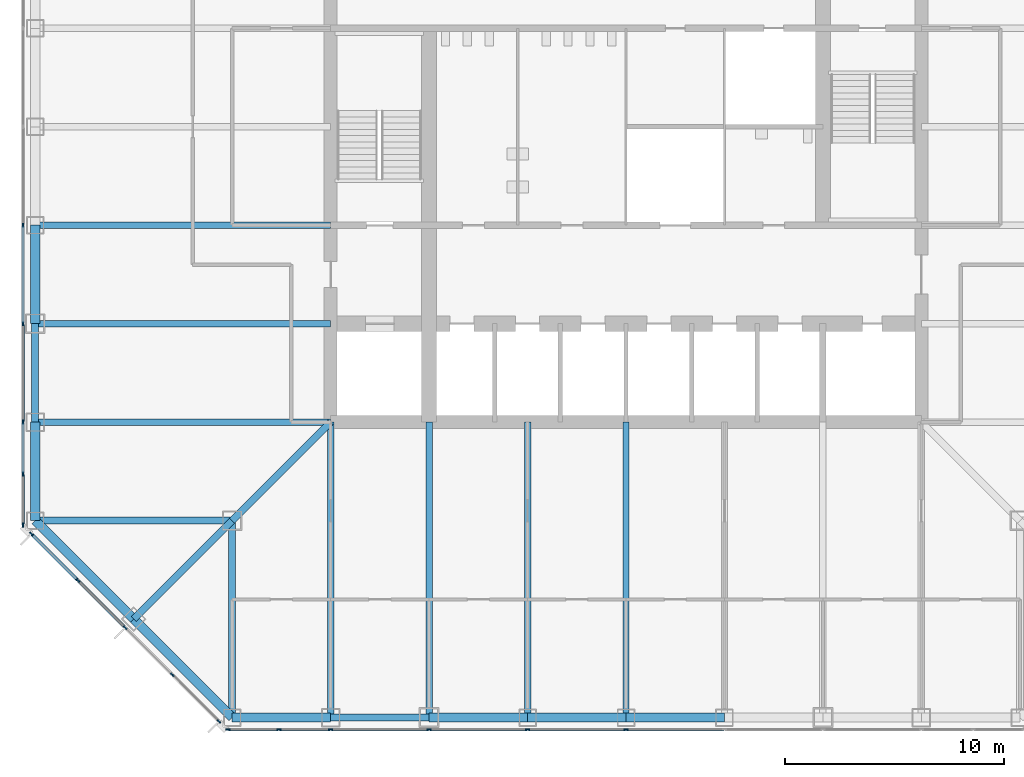
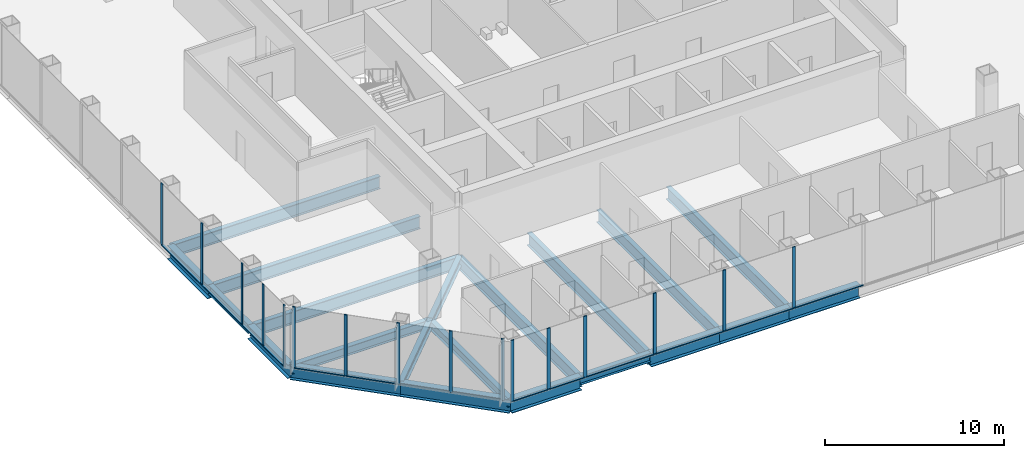
# One storey, part 2 of 13: 28 members, 21 beams, 3 elements without a shape of their own.
"""IFC4 building model written with IfcOpenShell, lengths in metres."""

import ifcopenshell
import ifcopenshell.guid

model = None  # the IFC model being written
_history = None  # IfcOwnerHistory: only IFC2X3 demands one
_inside = {}  # id of a spatial element -> (the spatial element, [elements in it])
_under = {}  # id of a project, library or spatial element -> (it, [spatial elements below it])
_declared = {}  # id of a project -> (the project, [libraries it declares])
_typed = {}  # id of a type object -> (the type object, [elements of that type])
_made_of = {}  # id of a material, layer set ... -> (it, [elements and type objects made of it])


def new_model(schema):
    """Start an empty IFC model of exactly this schema.

    Asked for "IFC4X3", IfcOpenShell would pick the latest addendum, in which some entities
    have other attributes; the version numbers below select the first issue.
    IFC2X3 requires an IfcOwnerHistory on every rooted entity: one is made here for all.
    """
    global model, _history
    if schema == "IFC4X3":
        model = ifcopenshell.file(schema_version=(4, 3, 0, 0))
    else:
        model = ifcopenshell.file(schema=schema)
    _inside.clear()
    _under.clear()
    _declared.clear()
    _typed.clear()
    _made_of.clear()
    _history = None
    if model.schema == "IFC2X3":
        org = make("IfcOrganization", Name="unknown")
        user = make(
            "IfcPersonAndOrganization",
            ThePerson=make("IfcPerson", FamilyName="unknown"),
            TheOrganization=org,
        )
        app = make(
            "IfcApplication",
            ApplicationDeveloper=org,
            Version="unknown",
            ApplicationFullName="unknown",
            ApplicationIdentifier="unknown",
        )
        _history = make(
            "IfcOwnerHistory",
            OwningUser=user,
            OwningApplication=app,
            ChangeAction="ADDED",
            CreationDate=0,
        )
    return model


def make(cls, **values):
    """One entity of the class cls with the attributes given. An attribute that is None is left unset."""
    return model.create_entity(
        cls, **{name: value for name, value in values.items() if value is not None}
    )


def rooted(cls, **values):
    """An entity with a GlobalId (a new one), such as an element, a storey or a relation."""
    return make(cls, GlobalId=ifcopenshell.guid.new(), OwnerHistory=_history, **values)


def si_unit(unit_type, name, prefix=None):
    """IfcSIUnit, for example si_unit("LENGTHUNIT", "METRE", prefix="MILLI")."""
    return make("IfcSIUnit", UnitType=unit_type, Prefix=prefix, Name=name)


def assignment(units):
    """IfcUnitAssignment: the units of a project."""
    return None if units is None else make("IfcUnitAssignment", Units=units)


def point(xyz):
    """IfcCartesianPoint."""
    return None if xyz is None else make("IfcCartesianPoint", Coordinates=xyz)


def direction(xyz):
    """IfcDirection."""
    return None if xyz is None else make("IfcDirection", DirectionRatios=xyz)


def frame(location, z_axis=None, x_axis=None):
    """IfcAxis2Placement3D, a coordinate frame: its origin and axes. An axis left out is left unset."""
    return make(
        "IfcAxis2Placement3D",
        Location=point(location),
        Axis=direction(z_axis),
        RefDirection=direction(x_axis),
    )


def frame_2d(location, x_axis=None):
    """IfcAxis2Placement2D, a coordinate frame in the plane: its origin and x axis."""
    return make(
        "IfcAxis2Placement2D", Location=point(location), RefDirection=direction(x_axis)
    )


def origin():
    """The frame at (0, 0, 0) with its axes left unset."""
    return frame((0.0, 0.0, 0.0))


def origin_2d():
    """The frame at (0, 0) in the plane with its x axis left unset."""
    return frame_2d((0.0, 0.0))


def place(relative_to, where):
    """IfcLocalPlacement: puts the frame where relative to a parent placement (None: the world)."""
    return make(
        "IfcLocalPlacement", PlacementRelTo=relative_to, RelativePlacement=where
    )


def context(
    kind, dimensions, precision=None, world=None, true_north=None, identifier=None
):
    """IfcGeometricRepresentationContext, for example the 3D "Model" context."""
    return make(
        "IfcGeometricRepresentationContext",
        ContextIdentifier=identifier,
        ContextType=kind,
        CoordinateSpaceDimension=dimensions,
        Precision=precision,
        WorldCoordinateSystem=world,
        TrueNorth=true_north,
    )


def subcontext(parent, identifier, kind, view, scale=None):
    """IfcGeometricRepresentationSubContext, for example "Body" below "Model"."""
    return make(
        "IfcGeometricRepresentationSubContext",
        ContextIdentifier=identifier,
        ContextType=kind,
        ParentContext=parent,
        TargetScale=scale,
        TargetView=view,
    )


def project(units=None, contexts=None):
    """IfcProject with its units and contexts."""
    return rooted(
        "IfcProject",
        Name="project",
        RepresentationContexts=contexts,
        UnitsInContext=assignment(units),
    )


def spatial(cls, under=None, at=None, **own):
    """A site, building, storey or space (cls), placed at a placement, below another one or the project."""
    s = rooted(cls, ObjectPlacement=at, **own)
    if under is not None:
        _under.setdefault(under.id(), (under, []))[1].append(s)
    return s


def profile(cls, at=None, kind="AREA", **sizes):
    """A parametric profile (cls). Its sizes go by their IFC names, for example OverallWidth=200.0."""
    return make(cls, ProfileType=kind, Position=at, **sizes)


def rectangle(**sizes):
    """IfcRectangleProfileDef."""
    return profile("IfcRectangleProfileDef", **sizes)


def i_section(**sizes):
    """IfcIShapeProfileDef."""
    return profile("IfcIShapeProfileDef", **sizes)


def extrude(swept, where, along, depth):
    """IfcExtrudedAreaSolid: the profile swept, set in the frame where, extruded along a direction by depth."""
    return make(
        "IfcExtrudedAreaSolid",
        SweptArea=swept,
        Position=where,
        ExtrudedDirection=direction(along),
        Depth=depth,
    )


def shape(context_of_items, identifier, shape_type, items):
    """IfcShapeRepresentation: the items that make up one representation, for example the "Body"."""
    return make(
        "IfcShapeRepresentation",
        ContextOfItems=context_of_items,
        RepresentationIdentifier=identifier,
        RepresentationType=shape_type,
        Items=items,
    )


def material(Name=None, Category=None):
    """IfcMaterial."""
    return make("IfcMaterial", Name=Name, Category=Category)


def material_profile(
    of_material, cross_section, Name=None, Category=None, Priority=None
):
    """IfcMaterialProfile: a cross section and its material."""
    return make(
        "IfcMaterialProfile",
        Name=Name,
        Material=of_material,
        Profile=cross_section,
        Priority=Priority,
        Category=Category,
    )


def profile_set(profiles, Name=None, composite=None):
    """IfcMaterialProfileSet."""
    return make(
        "IfcMaterialProfileSet",
        Name=Name,
        MaterialProfiles=profiles,
        CompositeProfile=composite,
    )


def made_of(thing, what):
    """Note that an element or type object is made of a material, layer set ...; save() writes the relation."""
    if what is not None:
        _made_of.setdefault(what.id(), (what, []))[1].append(thing)
    return thing


def type_object(cls, material=None, **own):
    """A type object (cls), such as IfcWallType, which elements share."""
    return made_of(rooted(cls, **own), material)


def element(
    cls,
    number,
    at=None,
    inside=None,
    cuts=None,
    type_object=None,
    material=None,
    context=None,
    identifier="Body",
    shape_type=None,
    held_by="IfcProductDefinitionShape",
    body=None,
    shapes=None,
    **own,
):
    """One element of the class cls, such as IfcWall. Its Tag is "e" and its number.

    at: its placement. inside: the storey or other place that contains it. cuts: it is an
    opening in that element (IfcRelVoidsElement). A single representation is given by context,
    identifier, shape_type and body (its items); several are given by shapes. held_by: the class
    of the entity that holds the representations. save() writes the other relations.
    """
    e = rooted(cls, Tag="e%d" % number, ObjectPlacement=at, **own)
    if body is not None:
        shapes = [shape(context, identifier, shape_type, body)]
    if shapes is not None:
        e.Representation = make(held_by, Representations=shapes)
    if inside is not None:
        _inside.setdefault(inside.id(), (inside, []))[1].append(e)
    if cuts is not None:
        rooted(
            "IfcRelVoidsElement", RelatingBuildingElement=cuts, RelatedOpeningElement=e
        )
    if type_object is not None:
        _typed.setdefault(type_object.id(), (type_object, []))[1].append(e)
    return made_of(e, material)


def aggregate(whole, parts):
    """IfcRelAggregates: a whole, such as a stair, and the parts it consists of."""
    return rooted("IfcRelAggregates", RelatingObject=whole, RelatedObjects=parts)


def save(model, path):
    """Write the relations noted so far, then the file.

    IfcRelAggregates (storeys below a building ...), IfcRelContainedInSpatialStructure (elements
    in a storey), IfcRelDefinesByType, IfcRelAssociatesMaterial and IfcRelDeclares: one each for
    every whole, place, type object, material and project.
    """
    for whole, parts in _under.values():
        aggregate(whole, parts)
    for where, things in _inside.values():
        rooted(
            "IfcRelContainedInSpatialStructure",
            RelatedElements=things,
            RelatingStructure=where,
        )
    for kind, things in _typed.values():
        rooted("IfcRelDefinesByType", RelatedObjects=things, RelatingType=kind)
    for what, things in _made_of.values():
        rooted("IfcRelAssociatesMaterial", RelatedObjects=things, RelatingMaterial=what)
    for by, libraries in _declared.values():
        rooted("IfcRelDeclares", RelatingContext=by, RelatedDefinitions=libraries)
    model.write(path)


model = new_model("IFC4")

# Units and contexts
model_context = context("Model", 3, precision=1e-05, world=origin(), true_north=direction((0.0, 1.0)))
body_context = subcontext(model_context, "Body", "Model", "MODEL_VIEW")
ifc_project = project(units=[si_unit("LENGTHUNIT", "METRE"), si_unit("AREAUNIT", "SQUARE_METRE"), si_unit("VOLUMEUNIT", "CUBIC_METRE"), si_unit("PLANEANGLEUNIT", "RADIAN"), si_unit("MASSUNIT", "GRAM", prefix="KILO")], contexts=[model_context])

# Site, building, storey
site_placement = place(None, origin())
site = spatial("IfcSite", under=ifc_project, at=site_placement, CompositionType="ELEMENT")
building_placement = place(site_placement, origin())
building = spatial("IfcBuilding", under=site, at=building_placement, Name="Corais Broadcast Tower", CompositionType="ELEMENT")
storey_placement = place(building_placement, frame((0.0, 0.0, 83.60009765625)))
storey = spatial("IfcBuildingStorey", under=building, at=storey_placement, Name="L18", CompositionType="ELEMENT", Elevation=83.60009765625)

# Beams
ifc_material_1 = material(Name="Steel ASTM A572 Grade 50", Category="steel")
ifc_material_profile_1 = material_profile(ifc_material_1, i_section(OverallWidth=0.323974609375, OverallDepth=0.611083984375, WebThickness=0.0126953125, FlangeThickness=0.01904296875, at=origin_2d()), Name="W610x155")
ifc_profile_set_1 = profile_set([ifc_material_profile_1], Name="Steel ASTM A572 Grade 50")
beam_type_1 = type_object("IfcBeamType", Name="Chamfer tie W610x155", PredefinedType="BEAM", material=ifc_profile_set_1)
beam_1_placement = place(storey_placement, frame((4.5, 4.5, -0.465576171875), z_axis=(0.707106781187, 0.707106781187, 0.0), x_axis=(-0.707106781187, 0.707106781187, 0.0)))
element("IfcBeam", 1, at=beam_1_placement, inside=storey, type_object=beam_type_1, Name="B5 B/4 to C/5", PredefinedType="BEAM", context=body_context, shape_type="SweptSolid", body=[
    extrude(i_section(OverallWidth=0.323974609375, OverallDepth=0.611083984375, WebThickness=0.0126953125, FlangeThickness=0.01904296875, at=origin_2d()), origin(), (0.0, 0.0, 1.0), 6.364013671875),
])
ifc_material_2 = material(Name="Steel ASTM A572 Grade 50", Category="steel")
ifc_material_profile_2 = material_profile(ifc_material_2, i_section(OverallWidth=0.323974609375, OverallDepth=0.611083984375, WebThickness=0.0126953125, FlangeThickness=0.01904296875, at=origin_2d()), Name="W610x155")
ifc_profile_set_2 = profile_set([ifc_material_profile_2], Name="Steel ASTM A572 Grade 50")
beam_type_2 = type_object("IfcBeamType", Name="Corner diagonal W610x155", PredefinedType="BEAM", material=ifc_profile_set_2)
beam_2_placement = place(storey_placement, frame((9.0, 9.0, -0.465576171875), z_axis=(0.707106781187, 0.707106781187, 0.0), x_axis=(-0.707106781187, 0.707106781187, 0.0)))
element("IfcBeam", 2, at=beam_2_placement, inside=storey, type_object=beam_type_2, Name="B6 C/5 to D/6", PredefinedType="BEAM", context=body_context, shape_type="SweptSolid", body=[
    extrude(i_section(OverallWidth=0.323974609375, OverallDepth=0.611083984375, WebThickness=0.0126953125, FlangeThickness=0.01904296875, at=origin_2d()), origin(), (0.0, 0.0, 1.0), 6.364013671875),
])
ifc_material_3 = material(Name="Steel ASTM A572 Grade 50", Category="steel")
ifc_material_profile_3 = material_profile(ifc_material_3, i_section(OverallWidth=0.323974609375, OverallDepth=0.611083984375, WebThickness=0.0126953125, FlangeThickness=0.01904296875, at=origin_2d()), Name="W610x155")
ifc_profile_set_3 = profile_set([ifc_material_profile_3], Name="Steel ASTM A572 Grade 50")
beam_type_3 = type_object("IfcBeamType", Name="Corner girder W610x155", PredefinedType="BEAM", material=ifc_profile_set_3)
for number, where, z_axis, x_axis, name in (
    (3, (0.0, 9.0, -0.465576171875), (1.0, 0.0, 0.0), (0.0, 1.0, 0.0), "B4 C/3 to C/5"),
    (4, (9.0, 0.0, -0.465576171875), (0.0, 1.0, 0.0), (-1.0, 0.0, 0.0), "B4 A/5 to C/5"),
):
    element("IfcBeam", number, at=place(storey_placement, frame(where, z_axis=z_axis, x_axis=x_axis)), inside=storey, type_object=beam_type_3, Name=name, PredefinedType="BEAM", context=body_context, shape_type="SweptSolid", body=[
        extrude(i_section(OverallWidth=0.323974609375, OverallDepth=0.611083984375, WebThickness=0.0126953125, FlangeThickness=0.01904296875, at=origin_2d()), origin(), (0.0, 0.0, 1.0), 9.0),
    ])
ifc_material_4 = material(Name="Steel ASTM A572 Grade 50", Category="steel")
ifc_material_profile_4 = material_profile(ifc_material_4, i_section(OverallWidth=0.2939453125, OverallDepth=0.85107421875, WebThickness=0.01611328125, FlangeThickness=0.02685546875, at=origin_2d()), Name="W840x226")
ifc_profile_set_4 = profile_set([ifc_material_profile_4], Name="Steel ASTM A572 Grade 50")
beam_type_4 = type_object("IfcBeamType", Name="Floor beam W840x226", PredefinedType="BEAM", material=ifc_profile_set_4)
for number, where, z_axis, x_axis, name in (
    (5, (0.0, 13.5, -0.585693359375), (1.0, 0.0, 0.0), (0.0, 1.0, 0.0), "B1 D/3 to D/6"),
    (6, (0.0, 18.0, -0.585693359375), (1.0, 0.0, 0.0), (0.0, 1.0, 0.0), "B1 E/3 to E/6"),
    (7, (0.0, 22.5, -0.585693359375), (1.0, 0.0, 0.0), (0.0, 1.0, 0.0), "B1 F/3 to F/6"),
    (8, (13.5, 0.0, -0.585693359375), (0.0, 1.0, 0.0), (-1.0, 0.0, 0.0), "B1 A/6 to D/6"),
    (9, (18.0, 0.0, -0.585693359375), (0.0, 1.0, 0.0), (-1.0, 0.0, 0.0), "B1 A/7 to D/7"),
    (10, (22.5, 0.0, -0.585693359375), (0.0, 1.0, 0.0), (-1.0, 0.0, 0.0), "B1 A/8 to D/8"),
    (11, (27.0, 0.0, -0.585693359375), (0.0, 1.0, 0.0), (-1.0, 0.0, 0.0), "B1 A/9 to D/9"),
):
    element("IfcBeam", number, at=place(storey_placement, frame(where, z_axis=z_axis, x_axis=x_axis)), inside=storey, type_object=beam_type_4, Name=name, PredefinedType="BEAM", context=body_context, shape_type="SweptSolid", body=[
        extrude(i_section(OverallWidth=0.2939453125, OverallDepth=0.85107421875, WebThickness=0.01611328125, FlangeThickness=0.02685546875, at=origin_2d()), origin(), (0.0, 0.0, 1.0), 13.5),
    ])

# Curtain wall, members
ifc_material_5 = material(Name="Aluminium and glass", Category="aluminium")
curtain_wall_type = type_object("IfcCurtainWallType", Name="Unitised fritted curtain wall CW1", PredefinedType="NOTDEFINED", material=ifc_material_5)
curtain_wall_1_placement = place(storey_placement, origin())
curtain_wall_1 = element("IfcCurtainWall", 12, at=curtain_wall_1_placement, inside=storey, type_object=curtain_wall_type, Name="CW1 curtain wall L18 1", PredefinedType="NOTDEFINED")
ifc_material_6 = material(Name="Aluminium 6063-T6", Category="aluminium")
ifc_material_profile_5 = material_profile(ifc_material_6, rectangle(XDim=0.06494140625, YDim=0.199951171875, at=origin_2d()), Name="Mullion CW1 65x200")
ifc_profile_set_5 = profile_set([ifc_material_profile_5], Name="Aluminium 6063-T6")
member_type_1 = type_object("IfcMemberType", Name="Mullion CW1 65x200", PredefinedType="MULLION", material=ifc_profile_set_5)
member_1_placement = place(storey_placement, frame((8.3955078125, -0.17333984375, 0.0), z_axis=(0.0, 0.0, 1.0), x_axis=(-0.707106781187, -0.707106781187, 0.0)))
member_1 = element("IfcMember", 13, at=member_1_placement, type_object=member_type_1, Name="CW1 mullion 1", PredefinedType="MULLION", context=body_context, shape_type="SweptSolid", body=[
    extrude(rectangle(XDim=0.06494140625, YDim=0.199951171875, at=origin_2d()), origin(), (0.0, 0.0, 1.0), 4.199951171875),
])
member_2_placement = place(storey_placement, frame((6.264892578125, 1.957275390625, 0.0), z_axis=(0.0, 0.0, 1.0), x_axis=(-0.707106781187, -0.707106781187, 0.0)))
member_2 = element("IfcMember", 14, at=member_2_placement, type_object=member_type_1, Name="CW1 mullion 2", PredefinedType="MULLION", context=body_context, shape_type="SweptSolid", body=[
    extrude(rectangle(XDim=0.06494140625, YDim=0.199951171875, at=origin_2d()), origin(), (0.0, 0.0, 1.0), 4.199951171875),
])
member_3_placement = place(storey_placement, frame((4.111083984375, 4.111083984375, 0.0), z_axis=(0.0, 0.0, 1.0), x_axis=(-0.707106781187, -0.707106781187, 0.0)))
member_3 = element("IfcMember", 15, at=member_3_placement, type_object=member_type_1, Name="CW1 mullion 3", PredefinedType="MULLION", context=body_context, shape_type="SweptSolid", body=[
    extrude(rectangle(XDim=0.06494140625, YDim=0.199951171875, at=origin_2d()), origin(), (0.0, 0.0, 1.0), 4.199951171875),
])
member_4_placement = place(storey_placement, frame((1.957275390625, 6.264892578125, 0.0), z_axis=(0.0, 0.0, 1.0), x_axis=(-0.707106781187, -0.707106781187, 0.0)))
member_4 = element("IfcMember", 16, at=member_4_placement, type_object=member_type_1, Name="CW1 mullion 4", PredefinedType="MULLION", context=body_context, shape_type="SweptSolid", body=[
    extrude(rectangle(XDim=0.06494140625, YDim=0.199951171875, at=origin_2d()), origin(), (0.0, 0.0, 1.0), 4.199951171875),
])
member_5_placement = place(storey_placement, frame((-0.17333984375, 8.3955078125, 0.0), z_axis=(0.0, 0.0, 1.0), x_axis=(-0.707106781187, -0.707106781187, 0.0)))
member_5 = element("IfcMember", 17, at=member_5_placement, type_object=member_type_1, Name="CW1 mullion 5", PredefinedType="MULLION", context=body_context, shape_type="SweptSolid", body=[
    extrude(rectangle(XDim=0.06494140625, YDim=0.199951171875, at=origin_2d()), origin(), (0.0, 0.0, 1.0), 4.199951171875),
])

curtain_wall_2_placement = place(storey_placement, origin())
curtain_wall_2 = element("IfcCurtainWall", 18, at=curtain_wall_2_placement, inside=storey, type_object=curtain_wall_type, Name="CW1 curtain wall L18 2", PredefinedType="NOTDEFINED")
member_6_placement = place(storey_placement, frame((-0.550048828125, 8.8046875, 0.0), z_axis=(0.0, 0.0, 1.0), x_axis=(-1.0, 0.0, 0.0)))
member_6 = element("IfcMember", 19, at=member_6_placement, type_object=member_type_1, Name="CW1 mullion 1", PredefinedType="MULLION", context=body_context, shape_type="SweptSolid", body=[
    extrude(rectangle(XDim=0.06494140625, YDim=0.199951171875, at=origin_2d()), origin(), (0.0, 0.0, 1.0), 4.199951171875),
])
member_7_placement = place(storey_placement, frame((-0.550048828125, 11.135986328125, 0.0), z_axis=(0.0, 0.0, 1.0), x_axis=(-1.0, 0.0, 0.0)))
member_7 = element("IfcMember", 20, at=member_7_placement, type_object=member_type_1, Name="CW1 mullion 2", PredefinedType="MULLION", context=body_context, shape_type="SweptSolid", body=[
    extrude(rectangle(XDim=0.06494140625, YDim=0.199951171875, at=origin_2d()), origin(), (0.0, 0.0, 1.0), 4.199951171875),
])
member_8_placement = place(storey_placement, frame((-0.550048828125, 13.5, 0.0), z_axis=(0.0, 0.0, 1.0), x_axis=(-1.0, 0.0, 0.0)))
member_8 = element("IfcMember", 21, at=member_8_placement, type_object=member_type_1, Name="CW1 mullion 3", PredefinedType="MULLION", context=body_context, shape_type="SweptSolid", body=[
    extrude(rectangle(XDim=0.06494140625, YDim=0.199951171875, at=origin_2d()), origin(), (0.0, 0.0, 1.0), 4.199951171875),
])
member_9_placement = place(storey_placement, frame((-0.550048828125, 18.0, 0.0), z_axis=(0.0, 0.0, 1.0), x_axis=(-1.0, 0.0, 0.0)))
member_9 = element("IfcMember", 22, at=member_9_placement, type_object=member_type_1, Name="CW1 mullion 4", PredefinedType="MULLION", context=body_context, shape_type="SweptSolid", body=[
    extrude(rectangle(XDim=0.06494140625, YDim=0.199951171875, at=origin_2d()), origin(), (0.0, 0.0, 1.0), 4.199951171875),
])
member_10_placement = place(storey_placement, frame((-0.550048828125, 22.5, 0.0), z_axis=(0.0, 0.0, 1.0), x_axis=(-1.0, 0.0, 0.0)))
member_10 = element("IfcMember", 23, at=member_10_placement, type_object=member_type_1, Name="CW1 mullion 5", PredefinedType="MULLION", context=body_context, shape_type="SweptSolid", body=[
    extrude(rectangle(XDim=0.06494140625, YDim=0.199951171875, at=origin_2d()), origin(), (0.0, 0.0, 1.0), 4.199951171875),
])

curtain_wall_3_placement = place(storey_placement, origin())
curtain_wall_3 = element("IfcCurtainWall", 24, at=curtain_wall_3_placement, inside=storey, type_object=curtain_wall_type, Name="CW1 curtain wall L18 8", PredefinedType="NOTDEFINED")
member_11_placement = place(storey_placement, frame((27.0, -0.550048828125, 0.0), z_axis=(0.0, 0.0, 1.0), x_axis=(0.0, -1.0, 0.0)))
member_11 = element("IfcMember", 25, at=member_11_placement, type_object=member_type_1, Name="CW1 mullion 6", PredefinedType="MULLION", context=body_context, shape_type="SweptSolid", body=[
    extrude(rectangle(XDim=0.06494140625, YDim=0.199951171875, at=origin_2d()), origin(), (0.0, 0.0, 1.0), 4.199951171875),
])
member_12_placement = place(storey_placement, frame((22.5, -0.550048828125, 0.0), z_axis=(0.0, 0.0, 1.0), x_axis=(0.0, -1.0, 0.0)))
member_12 = element("IfcMember", 26, at=member_12_placement, type_object=member_type_1, Name="CW1 mullion 7", PredefinedType="MULLION", context=body_context, shape_type="SweptSolid", body=[
    extrude(rectangle(XDim=0.06494140625, YDim=0.199951171875, at=origin_2d()), origin(), (0.0, 0.0, 1.0), 4.199951171875),
])
member_13_placement = place(storey_placement, frame((18.0, -0.550048828125, 0.0), z_axis=(0.0, 0.0, 1.0), x_axis=(0.0, -1.0, 0.0)))
member_13 = element("IfcMember", 27, at=member_13_placement, type_object=member_type_1, Name="CW1 mullion 8", PredefinedType="MULLION", context=body_context, shape_type="SweptSolid", body=[
    extrude(rectangle(XDim=0.06494140625, YDim=0.199951171875, at=origin_2d()), origin(), (0.0, 0.0, 1.0), 4.199951171875),
])
member_14_placement = place(storey_placement, frame((13.5, -0.550048828125, 0.0), z_axis=(0.0, 0.0, 1.0), x_axis=(0.0, -1.0, 0.0)))
member_14 = element("IfcMember", 28, at=member_14_placement, type_object=member_type_1, Name="CW1 mullion 9", PredefinedType="MULLION", context=body_context, shape_type="SweptSolid", body=[
    extrude(rectangle(XDim=0.06494140625, YDim=0.199951171875, at=origin_2d()), origin(), (0.0, 0.0, 1.0), 4.199951171875),
])
member_15_placement = place(storey_placement, frame((11.135986328125, -0.550048828125, 0.0), z_axis=(0.0, 0.0, 1.0), x_axis=(0.0, -1.0, 0.0)))
member_15 = element("IfcMember", 29, at=member_15_placement, type_object=member_type_1, Name="CW1 mullion 10", PredefinedType="MULLION", context=body_context, shape_type="SweptSolid", body=[
    extrude(rectangle(XDim=0.06494140625, YDim=0.199951171875, at=origin_2d()), origin(), (0.0, 0.0, 1.0), 4.199951171875),
])
member_16_placement = place(storey_placement, frame((8.8046875, -0.550048828125, 0.0), z_axis=(0.0, 0.0, 1.0), x_axis=(0.0, -1.0, 0.0)))
member_16 = element("IfcMember", 30, at=member_16_placement, type_object=member_type_1, Name="CW1 mullion 11", PredefinedType="MULLION", context=body_context, shape_type="SweptSolid", body=[
    extrude(rectangle(XDim=0.06494140625, YDim=0.199951171875, at=origin_2d()), origin(), (0.0, 0.0, 1.0), 4.199951171875),
])

# Beams
ifc_material_7 = material(Name="Steel ASTM A572 Grade 50", Category="steel")
ifc_material_profile_6 = material_profile(ifc_material_7, i_section(OverallWidth=0.323974609375, OverallDepth=0.611083984375, WebThickness=0.0126953125, FlangeThickness=0.01904296875, at=origin_2d()), Name="W610x155")
ifc_profile_set_6 = profile_set([ifc_material_profile_6], Name="Steel ASTM A572 Grade 50")
beam_type_5 = type_object("IfcBeamType", Name="Pinned spandrel W610x155", PredefinedType="BEAM", material=ifc_profile_set_6)
for number, where, z_axis, x_axis, name in (
    (31, (0.0, 18.0, -0.465576171875), (0.0, -1.0, 0.0), (1.0, 0.0, 0.0), "SB6 E/3 to D/3"),
    (32, (13.5, 0.0, -0.465576171875), (1.0, 0.0, 0.0), (0.0, 1.0, 0.0), "SB6 A/6 to A/7"),
):
    element("IfcBeam", number, at=place(storey_placement, frame(where, z_axis=z_axis, x_axis=x_axis)), inside=storey, type_object=beam_type_5, Name=name, PredefinedType="BEAM", context=body_context, shape_type="SweptSolid", body=[
        extrude(i_section(OverallWidth=0.323974609375, OverallDepth=0.611083984375, WebThickness=0.0126953125, FlangeThickness=0.01904296875, at=origin_2d()), origin(), (0.0, 0.0, 1.0), 4.5),
    ])
ifc_material_8 = material(Name="Steel ASTM A572 Grade 50", Category="steel")
ifc_material_profile_7 = material_profile(ifc_material_8, i_section(OverallWidth=0.4189453125, OverallDepth=0.94189453125, WebThickness=0.022216796875, FlangeThickness=0.03662109375, at=origin_2d()), Name="W920x345")
ifc_profile_set_7 = profile_set([ifc_material_profile_7], Name="Steel ASTM A572 Grade 50")
beam_type_6 = type_object("IfcBeamType", Name="Transfer spandrel W920x345", PredefinedType="BEAM", material=ifc_profile_set_7)
for number, where, z_axis, x_axis, name in (
    (33, (0.0, 13.5, -0.631103515625), (0.0, -1.0, 0.0), (1.0, 0.0, 0.0), "SB4 D/3 to C/3"),
    (34, (0.0, 22.5, -0.631103515625), (0.0, -1.0, 0.0), (1.0, 0.0, 0.0), "SB4 F/3 to E/3"),
):
    element("IfcBeam", number, at=place(storey_placement, frame(where, z_axis=z_axis, x_axis=x_axis)), inside=storey, type_object=beam_type_6, Name=name, PredefinedType="BEAM", context=body_context, shape_type="SweptSolid", body=[
        extrude(i_section(OverallWidth=0.4189453125, OverallDepth=0.94189453125, WebThickness=0.022216796875, FlangeThickness=0.03662109375, at=origin_2d()), origin(), (0.0, 0.0, 1.0), 4.5),
    ])
beam_3_placement = place(storey_placement, frame((0.0, 9.0, -0.631103515625), z_axis=(0.707106781187, -0.707106781187, 0.0), x_axis=(0.707106781187, 0.707106781187, 0.0)))
element("IfcBeam", 35, at=beam_3_placement, inside=storey, type_object=beam_type_6, Name="SB4 C/3 to B/4", PredefinedType="BEAM", context=body_context, shape_type="SweptSolid", body=[
    extrude(i_section(OverallWidth=0.4189453125, OverallDepth=0.94189453125, WebThickness=0.022216796875, FlangeThickness=0.03662109375, at=origin_2d()), origin(), (0.0, 0.0, 1.0), 6.364013671875),
])
for number, where, z_axis, x_axis, name in (
    (36, (18.0, 0.0, -0.631103515625), (1.0, 0.0, 0.0), (0.0, 1.0, 0.0), "SB4 A/7 to A/8"),
    (37, (22.5, 0.0, -0.631103515625), (1.0, 0.0, 0.0), (0.0, 1.0, 0.0), "SB4 A/8 to A/9"),
    (38, (27.0, 0.0, -0.631103515625), (1.0, 0.0, 0.0), (0.0, 1.0, 0.0), "SB4 A/9 to A/10"),
):
    element("IfcBeam", number, at=place(storey_placement, frame(where, z_axis=z_axis, x_axis=x_axis)), inside=storey, type_object=beam_type_6, Name=name, PredefinedType="BEAM", context=body_context, shape_type="SweptSolid", body=[
        extrude(i_section(OverallWidth=0.4189453125, OverallDepth=0.94189453125, WebThickness=0.022216796875, FlangeThickness=0.03662109375, at=origin_2d()), origin(), (0.0, 0.0, 1.0), 4.5),
    ])
beam_4_placement = place(storey_placement, frame((4.5, 4.5, -0.631103515625), z_axis=(0.707106781187, -0.707106781187, 0.0), x_axis=(0.707106781187, 0.707106781187, 0.0)))
element("IfcBeam", 39, at=beam_4_placement, inside=storey, type_object=beam_type_6, Name="SB4 B/4 to A/5", PredefinedType="BEAM", context=body_context, shape_type="SweptSolid", body=[
    extrude(i_section(OverallWidth=0.4189453125, OverallDepth=0.94189453125, WebThickness=0.022216796875, FlangeThickness=0.03662109375, at=origin_2d()), origin(), (0.0, 0.0, 1.0), 6.364013671875),
])
beam_5_placement = place(storey_placement, frame((9.0, 0.0, -0.631103515625), z_axis=(1.0, 0.0, 0.0), x_axis=(0.0, 1.0, 0.0)))
element("IfcBeam", 40, at=beam_5_placement, inside=storey, type_object=beam_type_6, Name="SB4 A/5 to A/6", PredefinedType="BEAM", context=body_context, shape_type="SweptSolid", body=[
    extrude(i_section(OverallWidth=0.4189453125, OverallDepth=0.94189453125, WebThickness=0.022216796875, FlangeThickness=0.03662109375, at=origin_2d()), origin(), (0.0, 0.0, 1.0), 4.5),
])

# Member
ifc_material_9 = material(Name="Aluminium 6063-T6", Category="aluminium")
ifc_material_profile_8 = material_profile(ifc_material_9, rectangle(XDim=0.139892578125, YDim=0.06494140625, at=origin_2d()), Name="Transom CW1 65x140")
ifc_profile_set_8 = profile_set([ifc_material_profile_8], Name="Aluminium 6063-T6")
member_type_2 = type_object("IfcMemberType", Name="Transom CW1 65x140", PredefinedType="USERDEFINED", material=ifc_profile_set_8)
member_17_placement = place(storey_placement, frame((4.088134765625, 4.134033203125, 0.032470703125), z_axis=(-0.707106781187, 0.707106781187, 0.0), x_axis=(-0.707106781187, -0.707106781187, 0.0)))
member_17 = element("IfcMember", 41, at=member_17_placement, type_object=member_type_2, Name="CW1 transom 3.1", ObjectType="TRANSOM", PredefinedType="USERDEFINED", context=body_context, shape_type="SweptSolid", body=[
    extrude(rectangle(XDim=0.139892578125, YDim=0.06494140625, at=origin_2d()), origin(), (0.0, 0.0, 1.0), 2.98095703125),
])

member_18_placement = place(storey_placement, frame((1.934326171875, 6.287841796875, 0.032470703125), z_axis=(-0.707106781187, 0.707106781187, 0.0), x_axis=(-0.707106781187, -0.707106781187, 0.0)))
member_18 = element("IfcMember", 42, at=member_18_placement, type_object=member_type_2, Name="CW1 transom 4.1", ObjectType="TRANSOM", PredefinedType="USERDEFINED", context=body_context, shape_type="SweptSolid", body=[
    extrude(rectangle(XDim=0.139892578125, YDim=0.06494140625, at=origin_2d()), origin(), (0.0, 0.0, 1.0), 2.9482421875),
])

aggregate(curtain_wall_1, [member_1, member_2, member_3, member_4, member_5, member_17, member_18])

member_19_placement = place(storey_placement, frame((-0.550048828125, 8.837158203125, 0.032470703125), z_axis=(0.0, 1.0, 0.0), x_axis=(-1.0, 0.0, 0.0)))
member_19 = element("IfcMember", 43, at=member_19_placement, type_object=member_type_2, Name="CW1 transom 1.1", ObjectType="TRANSOM", PredefinedType="USERDEFINED", context=body_context, shape_type="SweptSolid", body=[
    extrude(rectangle(XDim=0.139892578125, YDim=0.06494140625, at=origin_2d()), origin(), (0.0, 0.0, 1.0), 2.266357421875),
])

member_20_placement = place(storey_placement, frame((-0.550048828125, 11.168701171875, 0.032470703125), z_axis=(0.0, 1.0, 0.0), x_axis=(-1.0, 0.0, 0.0)))
member_20 = element("IfcMember", 44, at=member_20_placement, type_object=member_type_2, Name="CW1 transom 2.1", ObjectType="TRANSOM", PredefinedType="USERDEFINED", context=body_context, shape_type="SweptSolid", body=[
    extrude(rectangle(XDim=0.139892578125, YDim=0.06494140625, at=origin_2d()), origin(), (0.0, 0.0, 1.0), 2.298828125),
])

member_21_placement = place(storey_placement, frame((-0.550048828125, 13.532470703125, 0.032470703125), z_axis=(0.0, 1.0, 0.0), x_axis=(-1.0, 0.0, 0.0)))
member_21 = element("IfcMember", 45, at=member_21_placement, type_object=member_type_2, Name="CW1 transom 3.1", ObjectType="TRANSOM", PredefinedType="USERDEFINED", context=body_context, shape_type="SweptSolid", body=[
    extrude(rectangle(XDim=0.139892578125, YDim=0.06494140625, at=origin_2d()), origin(), (0.0, 0.0, 1.0), 4.43505859375),
])

member_22_placement = place(storey_placement, frame((-0.550048828125, 18.032470703125, 0.032470703125), z_axis=(0.0, 1.0, 0.0), x_axis=(-1.0, 0.0, 0.0)))
member_22 = element("IfcMember", 46, at=member_22_placement, type_object=member_type_2, Name="CW1 transom 4.1", ObjectType="TRANSOM", PredefinedType="USERDEFINED", context=body_context, shape_type="SweptSolid", body=[
    extrude(rectangle(XDim=0.139892578125, YDim=0.06494140625, at=origin_2d()), origin(), (0.0, 0.0, 1.0), 4.43505859375),
])

aggregate(curtain_wall_2, [member_6, member_7, member_8, member_9, member_10, member_19, member_20, member_21, member_22])

member_23_placement = place(storey_placement, frame((31.467529296875, -0.550048828125, 0.032470703125), z_axis=(-1.0, 0.0, 0.0), x_axis=(0.0, -1.0, 0.0)))
member_23 = element("IfcMember", 47, at=member_23_placement, type_object=member_type_2, Name="CW1 transom 5.1", ObjectType="TRANSOM", PredefinedType="USERDEFINED", context=body_context, shape_type="SweptSolid", body=[
    extrude(rectangle(XDim=0.139892578125, YDim=0.06494140625, at=origin_2d()), origin(), (0.0, 0.0, 1.0), 4.43505859375),
])

member_24_placement = place(storey_placement, frame((26.967529296875, -0.550048828125, 0.032470703125), z_axis=(-1.0, 0.0, 0.0), x_axis=(0.0, -1.0, 0.0)))
member_24 = element("IfcMember", 48, at=member_24_placement, type_object=member_type_2, Name="CW1 transom 6.1", ObjectType="TRANSOM", PredefinedType="USERDEFINED", context=body_context, shape_type="SweptSolid", body=[
    extrude(rectangle(XDim=0.139892578125, YDim=0.06494140625, at=origin_2d()), origin(), (0.0, 0.0, 1.0), 4.43505859375),
])

member_25_placement = place(storey_placement, frame((22.467529296875, -0.550048828125, 0.032470703125), z_axis=(-1.0, 0.0, 0.0), x_axis=(0.0, -1.0, 0.0)))
member_25 = element("IfcMember", 49, at=member_25_placement, type_object=member_type_2, Name="CW1 transom 7.1", ObjectType="TRANSOM", PredefinedType="USERDEFINED", context=body_context, shape_type="SweptSolid", body=[
    extrude(rectangle(XDim=0.139892578125, YDim=0.06494140625, at=origin_2d()), origin(), (0.0, 0.0, 1.0), 4.43505859375),
])

member_26_placement = place(storey_placement, frame((17.967529296875, -0.550048828125, 0.032470703125), z_axis=(-1.0, 0.0, 0.0), x_axis=(0.0, -1.0, 0.0)))
member_26 = element("IfcMember", 50, at=member_26_placement, type_object=member_type_2, Name="CW1 transom 8.1", ObjectType="TRANSOM", PredefinedType="USERDEFINED", context=body_context, shape_type="SweptSolid", body=[
    extrude(rectangle(XDim=0.139892578125, YDim=0.06494140625, at=origin_2d()), origin(), (0.0, 0.0, 1.0), 4.43505859375),
])

member_27_placement = place(storey_placement, frame((13.467529296875, -0.550048828125, 0.032470703125), z_axis=(-1.0, 0.0, 0.0), x_axis=(0.0, -1.0, 0.0)))
member_27 = element("IfcMember", 51, at=member_27_placement, type_object=member_type_2, Name="CW1 transom 9.1", ObjectType="TRANSOM", PredefinedType="USERDEFINED", context=body_context, shape_type="SweptSolid", body=[
    extrude(rectangle(XDim=0.139892578125, YDim=0.06494140625, at=origin_2d()), origin(), (0.0, 0.0, 1.0), 2.298828125),
])

member_28_placement = place(storey_placement, frame((11.103515625, -0.550048828125, 0.032470703125), z_axis=(-1.0, 0.0, 0.0), x_axis=(0.0, -1.0, 0.0)))
member_28 = element("IfcMember", 52, at=member_28_placement, type_object=member_type_2, Name="CW1 transom 10.1", ObjectType="TRANSOM", PredefinedType="USERDEFINED", context=body_context, shape_type="SweptSolid", body=[
    extrude(rectangle(XDim=0.139892578125, YDim=0.06494140625, at=origin_2d()), origin(), (0.0, 0.0, 1.0), 2.266357421875),
])

aggregate(curtain_wall_3, [member_11, member_12, member_13, member_14, member_15, member_16, member_23, member_24, member_25, member_26, member_27, member_28])

save(model, "model.ifc")
